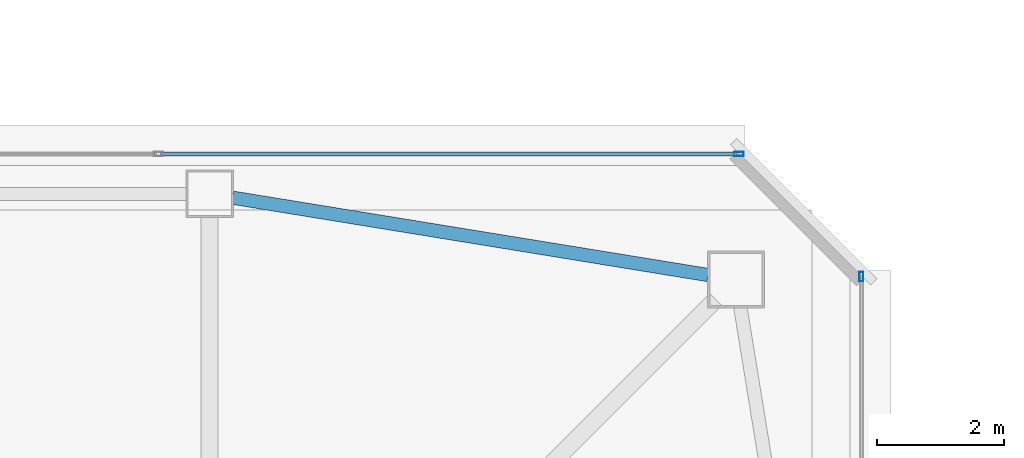
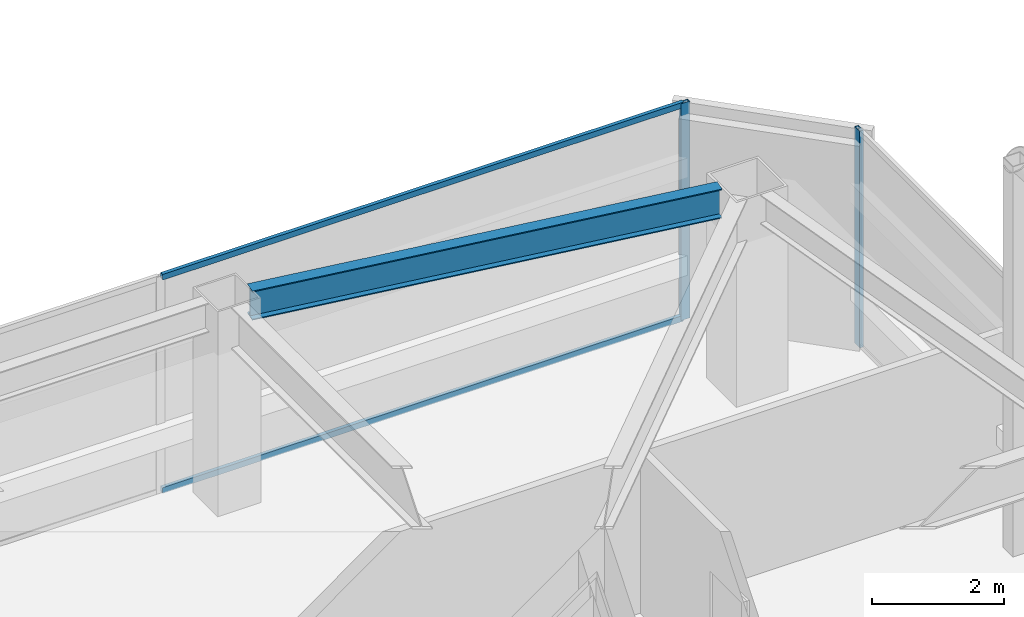
# One storey, part 20 of 53: 4 members, 1 beam, 2 elements without a shape of their own.
"""IFC4 building model written with IfcOpenShell, lengths in metres."""

from ifc_helpers import new_model, si_unit, direction, frame, origin, origin_2d, place, context, subcontext, project, spatial, hollow_rectangle, i_section, extrude, material, material_profile, profile_set, type_object, element, aggregate, save


model = new_model("IFC4")

# Units and contexts
model_context = context("Model", 3, precision=1e-05, world=origin(), true_north=direction((0.0, 1.0)))
body_context = subcontext(model_context, "Body", "Model", "MODEL_VIEW")
ifc_project = project(units=[si_unit("LENGTHUNIT", "METRE"), si_unit("AREAUNIT", "SQUARE_METRE"), si_unit("VOLUMEUNIT", "CUBIC_METRE"), si_unit("PLANEANGLEUNIT", "RADIAN"), si_unit("MASSUNIT", "GRAM", prefix="KILO")], contexts=[model_context])

# Site, building, storey
site_placement = place(None, origin())
site = spatial("IfcSite", under=ifc_project, at=site_placement, CompositionType="ELEMENT")
building_placement = place(site_placement, origin())
building = spatial("IfcBuilding", under=site, at=building_placement, Name="Tashvorn Skyway Center", CompositionType="ELEMENT")
storey_placement = place(building_placement, frame((0.0, 0.0, 255.39990234375)))
storey = spatial("IfcBuildingStorey", under=building, at=storey_placement, Name="L69", CompositionType="ELEMENT", Elevation=255.39990234375)

# Beam
ifc_material_1 = material(Name="Steel ASTM A992 Grade 50", Category="steel")
ifc_material_profile_1 = material_profile(ifc_material_1, i_section(OverallWidth=0.2109375, OverallDepth=0.5390625, WebThickness=0.01171875, FlangeThickness=0.018798828125, at=origin_2d()), Name="W21X73")
ifc_profile_set_1 = profile_set([ifc_material_profile_1], Name="Steel ASTM A992 Grade 50")
beam_type = type_object("IfcBeamType", Name="BM-SPANDREL-W21X73", PredefinedType="SPANDREL", material=ifc_profile_set_1)
beam_placement = place(storey_placement, frame((55.2607421875, 45.771484375, 3.510498046875), z_axis=(-0.987032749583, 0.160519005885, 0.0), x_axis=(-0.160519005885, -0.987032749583, 0.0)))
element("IfcBeam", 1, at=beam_placement, inside=storey, type_object=beam_type, Name="Tower 1 L69 Spandrel Beam 07", PredefinedType="SPANDREL", context=body_context, shape_type="SweptSolid", body=[
    extrude(i_section(OverallWidth=0.2109375, OverallDepth=0.5390625, WebThickness=0.01171875, FlangeThickness=0.018798828125, at=origin_2d()), origin(), (0.0, 0.0, 1.0), 7.593994140625),
])

# Curtain wall, member
ifc_material_2 = material(Name="Thermally broken bronze-anodized aluminium 6063-T6", Category="aluminium")
curtain_wall_type = type_object("IfcCurtainWallType", Name="CW-CW-SKY", PredefinedType="NOTDEFINED", material=ifc_material_2)
curtain_wall_1_placement = place(storey_placement, origin())
curtain_wall_1 = element("IfcCurtainWall", 2, at=curtain_wall_1_placement, inside=storey, type_object=curtain_wall_type, Name="Tower 1 L69 North Unitised Curtain Wall", PredefinedType="NOTDEFINED")
ifc_material_profile_2 = material_profile(ifc_material_2, hollow_rectangle(XDim=0.06494140625, YDim=0.14990234375, WallThickness=0.00390625, at=origin_2d()), Name="ALU-MULL-65x150")
ifc_profile_set_2 = profile_set([ifc_material_profile_2], Name="Thermally broken bronze-anodized aluminium 6063-T6")
member_type_1 = type_object("IfcMemberType", Name="CWM-CW-SKY", PredefinedType="MULLION", material=ifc_profile_set_2)
member_1_placement = place(storey_placement, frame((55.74755859375, 47.679931640625, 0.0), z_axis=(0.0, 0.0, 1.0), x_axis=(0.0, 1.0, 0.0)))
member_1 = element("IfcMember", 3, at=member_1_placement, type_object=member_type_1, Name="CW-SKY mullion 4", PredefinedType="MULLION", context=body_context, shape_type="SweptSolid", body=[
    extrude(hollow_rectangle(XDim=0.06494140625, YDim=0.14990234375, WallThickness=0.00390625, at=origin_2d()), origin(), (0.0, 0.0, 1.0), 4.0),
])

curtain_wall_2_placement = place(storey_placement, origin())
curtain_wall_2 = element("IfcCurtainWall", 4, at=curtain_wall_2_placement, inside=storey, type_object=curtain_wall_type, Name="Tower 1 L69 East Curtain Wall A", PredefinedType="NOTDEFINED")
member_2_placement = place(storey_placement, frame((57.679931640625, 45.74755859375, 0.0), z_axis=(0.0, 0.0, 1.0), x_axis=(1.0, 0.0, 0.0)))
member_2 = element("IfcMember", 5, at=member_2_placement, type_object=member_type_1, Name="CW-SKY mullion 1", PredefinedType="MULLION", context=body_context, shape_type="SweptSolid", body=[
    extrude(hollow_rectangle(XDim=0.06494140625, YDim=0.14990234375, WallThickness=0.00390625, at=origin_2d()), origin(), (0.0, 0.0, 1.0), 4.0),
])
aggregate(curtain_wall_2, [member_2])

# Member
ifc_material_profile_3 = material_profile(ifc_material_2, hollow_rectangle(XDim=0.06494140625, YDim=0.10498046875, WallThickness=0.00390625, at=origin_2d()), Name="ALU-TRAN-65x105")
ifc_profile_set_3 = profile_set([ifc_material_profile_3], Name="Thermally broken bronze-anodized aluminium 6063-T6")
member_type_2 = type_object("IfcMemberType", Name="CWT-CW-SKY", PredefinedType="USERDEFINED", material=ifc_profile_set_3)
member_3_placement = place(storey_placement, frame((46.625732421875, 47.679931640625, 0.03271484375), z_axis=(1.0, 0.0, 0.0), x_axis=(0.0, 1.0, 0.0)))
member_3 = element("IfcMember", 6, at=member_3_placement, type_object=member_type_2, Name="CW-SKY transom 3.1", ObjectType="TRANSOM", PredefinedType="USERDEFINED", context=body_context, shape_type="SweptSolid", body=[
    extrude(hollow_rectangle(XDim=0.06494140625, YDim=0.10498046875, WallThickness=0.00390625, at=origin_2d()), origin(), (0.0, 0.0, 1.0), 9.08935546875),
])

member_4_placement = place(storey_placement, frame((46.625732421875, 47.679931640625, 3.967529296875), z_axis=(1.0, 0.0, 0.0), x_axis=(0.0, 1.0, 0.0)))
member_4 = element("IfcMember", 7, at=member_4_placement, type_object=member_type_2, Name="CW-SKY transom 3.2", ObjectType="TRANSOM", PredefinedType="USERDEFINED", context=body_context, shape_type="SweptSolid", body=[
    extrude(hollow_rectangle(XDim=0.06494140625, YDim=0.10498046875, WallThickness=0.00390625, at=origin_2d()), origin(), (0.0, 0.0, 1.0), 9.08935546875),
])

aggregate(curtain_wall_1, [member_1, member_3, member_4])

save(model, "model.ifc")
